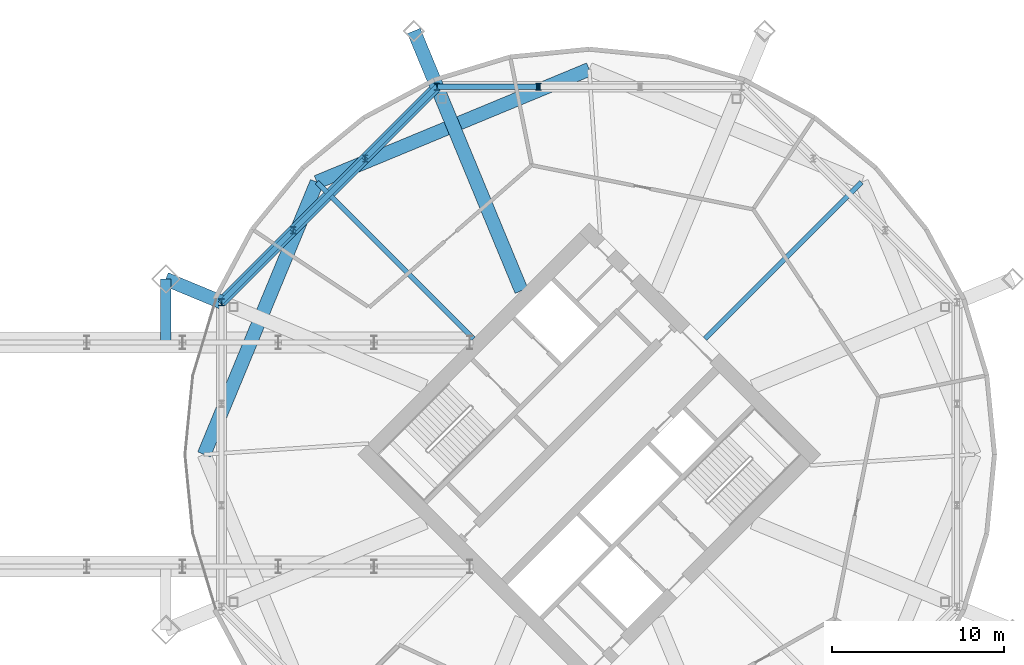
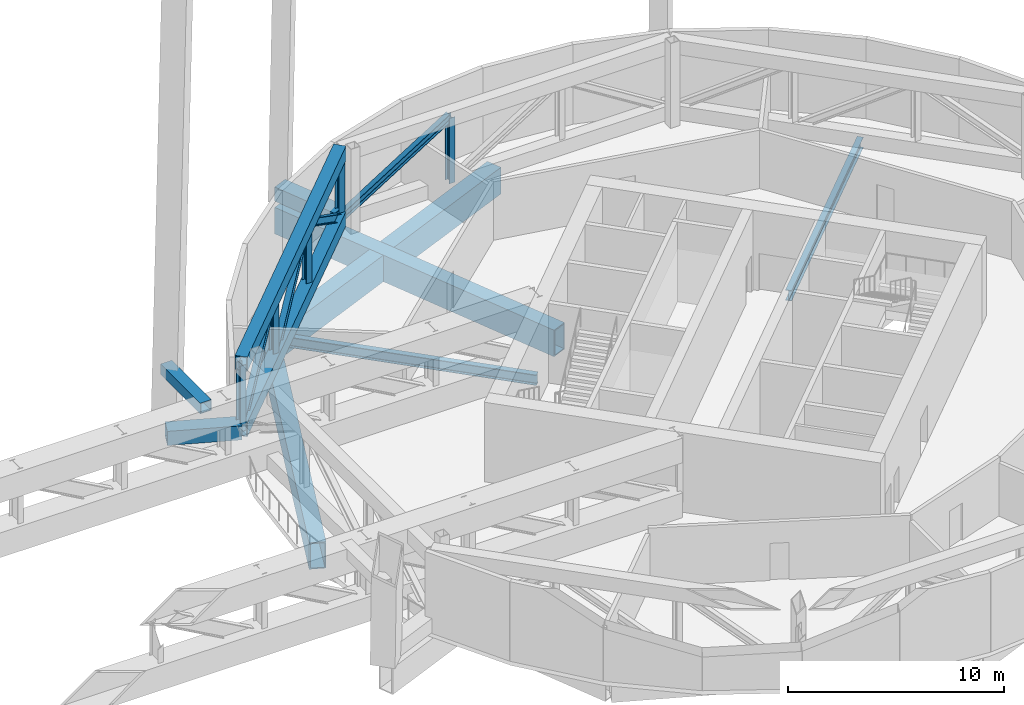
# One storey, part 10 of 19: 11 members, 8 beams.
"""IFC4 building model written with IfcOpenShell, lengths in metres."""

from ifc_helpers import new_model, si_unit, direction, frame, origin, origin_2d, place, context, subcontext, project, spatial, hollow_rectangle, i_section, extrude, material, material_profile, profile_set, type_object, element, save


model = new_model("IFC4")

# Units and contexts
model_context = context("Model", 3, precision=1e-05, world=origin(), true_north=direction((0.0, 1.0)))
body_context = subcontext(model_context, "Body", "Model", "MODEL_VIEW")
ifc_project = project(units=[si_unit("LENGTHUNIT", "METRE"), si_unit("AREAUNIT", "SQUARE_METRE"), si_unit("VOLUMEUNIT", "CUBIC_METRE"), si_unit("PLANEANGLEUNIT", "RADIAN"), si_unit("MASSUNIT", "GRAM", prefix="KILO")], contexts=[model_context])

# Site, building, storey
site_placement = place(None, origin())
site = spatial("IfcSite", under=ifc_project, at=site_placement, CompositionType="ELEMENT")
building_placement = place(site_placement, origin())
building = spatial("IfcBuilding", under=site, at=building_placement, Name="Ogive Gate Towers", CompositionType="ELEMENT")
storey_placement = place(building_placement, frame((0.0, 0.0, 130.800048828125)))
storey = spatial("IfcBuildingStorey", under=building, at=storey_placement, Name="L31", CompositionType="ELEMENT", Elevation=130.800048828125)

# Beams
ifc_material_1 = material(Name="Steel SM460", Category="steel")
ifc_material_profile_1 = material_profile(ifc_material_1, hollow_rectangle(XDim=0.800048828125, YDim=1.5, WallThickness=0.06005859375, at=origin_2d()), Name="BX 1500x800x60")
ifc_profile_set_1 = profile_set([ifc_material_profile_1], Name="Steel SM460")
beam_type_1 = type_object("IfcBeamType", Name="Edge girder BX 1500x800x60", PredefinedType="BEAM", material=ifc_profile_set_1)
for number, where, z_axis, x_axis, name in (
    (1, (36.0, 22.35009765625, -1.050048828125), (-0.923880978344, -0.382679941797, 0.0), (0.382679941797, -0.923880978344, 0.0), "T2/L31/SBM022"),
    (2, (20.196044921875, 15.803955078125, -1.050048828125), (-0.382679941797, -0.923880978344, 0.0), (0.923880978344, -0.382679941797, 0.0), "T2/L31/SBM023"),
):
    element("IfcBeam", number, at=place(storey_placement, frame(where, z_axis=z_axis, x_axis=x_axis)), inside=storey, type_object=beam_type_1, Name=name, PredefinedType="BEAM", context=body_context, shape_type="SweptSolid", body=[
        extrude(hollow_rectangle(XDim=0.800048828125, YDim=1.5, WallThickness=0.06005859375, at=origin_2d()), origin(), (0.0, 0.0, 1.0), 17.10595703125),
    ])
ifc_material_profile_2 = material_profile(ifc_material_1, hollow_rectangle(XDim=0.60009765625, YDim=0.60009765625, WallThickness=0.0400390625, at=origin_2d()), Name="BX 600x600x40")
ifc_profile_set_2 = profile_set([ifc_material_profile_2], Name="Steel SM460")
beam_type_2 = type_object("IfcBeamType", Name="Gate link BX 600x600x40", PredefinedType="BEAM", material=ifc_profile_set_2)
beam_1_placement = place(storey_placement, frame((11.4248046875, 6.5, 4.199951171875), z_axis=(0.0, 1.0, 0.0), x_axis=(-1.0, 0.0, 0.0)))
element("IfcBeam", 3, at=beam_1_placement, inside=storey, type_object=beam_type_2, Name="BR/L31/SBM003", PredefinedType="BEAM", context=body_context, shape_type="SweptSolid", body=[
    extrude(hollow_rectangle(XDim=0.60009765625, YDim=0.60009765625, WallThickness=0.0400390625, at=origin_2d()), origin(), (0.0, 0.0, 1.0), 3.679443359375),
])
ifc_material_profile_3 = material_profile(ifc_material_1, hollow_rectangle(XDim=0.800048828125, YDim=0.800048828125, WallThickness=0.050048828125, at=origin_2d()), Name="BX 800x800x50")
ifc_profile_set_3 = profile_set([ifc_material_profile_3], Name="Steel SM460")
beam_type_3 = type_object("IfcBeamType", Name="Node arm BX 800x800x50", PredefinedType="BEAM", material=ifc_profile_set_3)
for number, where, z_axis, x_axis, name in (
    (4, (27.159912109375, 21.341552734375, 0.449951171875), (-0.382668033682, 0.923885910704, 0.0), (-0.923885910704, -0.382668033682, 0.0), "T2/L31/SBM027"),
    (5, (14.658447265625, 8.840087890625, 0.449951171875), (-0.923885910704, 0.382668033682, 0.0), (-0.382668033682, -0.923885910704, 0.0), "T2/L31/SBM028"),
):
    element("IfcBeam", number, at=place(storey_placement, frame(where, z_axis=z_axis, x_axis=x_axis)), inside=storey, type_object=beam_type_3, Name=name, PredefinedType="BEAM", context=body_context, shape_type="SweptSolid", body=[
        extrude(hollow_rectangle(XDim=0.800048828125, YDim=0.800048828125, WallThickness=0.050048828125, at=origin_2d()), origin(), (0.0, 0.0, 1.0), 3.5),
    ])
ifc_material_2 = material(Name="Steel SM355", Category="steel")
ifc_material_profile_4 = material_profile(ifc_material_2, i_section(OverallWidth=0.300048828125, OverallDepth=0.590087890625, WebThickness=0.012939453125, FlangeThickness=0.02490234375, FilletRadius=0.027099609375, at=origin_2d()), Name="HE 600 A")
ifc_profile_set_4 = profile_set([ifc_material_profile_4], Name="Steel SM355")
beam_type_4 = type_object("IfcBeamType", Name="Radial floor beam HE 600 A", PredefinedType="BEAM", material=ifc_profile_set_4)
for number, where, z_axis, x_axis, name in (
    (6, (42.717529296875, 6.717529296875, -0.594970703125), (0.707106781187, 0.707106781187, 0.0), (-0.707106781187, 0.707106781187, 0.0), "T2/L31/SBM009"),
    (7, (29.282470703125, 6.717529296875, -0.594970703125), (-0.707106781187, 0.707106781187, 0.0), (-0.707106781187, -0.707106781187, 0.0), "T2/L31/SBM013"),
):
    element("IfcBeam", number, at=place(storey_placement, frame(where, z_axis=z_axis, x_axis=x_axis)), inside=storey, type_object=beam_type_4, Name=name, PredefinedType="BEAM", context=body_context, shape_type="SweptSolid", body=[
        extrude(i_section(OverallWidth=0.300048828125, OverallDepth=0.590087890625, WebThickness=0.012939453125, FlangeThickness=0.02490234375, FilletRadius=0.027099609375, at=origin_2d()), origin(), (0.0, 0.0, 1.0), 12.85009765625),
    ])
ifc_material_profile_5 = material_profile(ifc_material_1, hollow_rectangle(XDim=0.800048828125, YDim=1.5, WallThickness=0.06005859375, at=origin_2d()), Name="BX 1500x800x60")
ifc_profile_set_5 = profile_set([ifc_material_profile_5], Name="Steel SM460")
beam_type_5 = type_object("IfcBeamType", Name="Transfer radial beam BX 1500x800x60", PredefinedType="BEAM", material=ifc_profile_set_5)
beam_2_placement = place(storey_placement, frame((32.06494140625, 9.5, -1.050048828125), z_axis=(-0.382685232436, 0.923878786896, 0.0), x_axis=(-0.923878786896, -0.382685232436, 0.0)))
element("IfcBeam", 8, at=beam_2_placement, inside=storey, type_object=beam_type_5, Name="T2/L31/SBM012", PredefinedType="BEAM", context=body_context, shape_type="SweptSolid", body=[
    extrude(hollow_rectangle(XDim=0.800048828125, YDim=1.5, WallThickness=0.06005859375, at=origin_2d()), origin(), (0.0, 0.0, 1.0), 16.3173828125),
])

# Members
ifc_material_profile_6 = material_profile(ifc_material_1, hollow_rectangle(XDim=0.60009765625, YDim=0.800048828125, WallThickness=0.0400390625, at=origin_2d()), Name="BX 800x600x40")
ifc_profile_set_6 = profile_set([ifc_material_profile_6], Name="Steel SM460")
member_type_1 = type_object("IfcMemberType", Name="Truss chord BX 800x600x40", PredefinedType="CHORD", material=ifc_profile_set_6)
for number, where, z_axis, x_axis, name in (
    (9, (27.159912109375, 21.341552734375, 0.39990234375), (-0.707106781187, -0.707106781187, 0.0), (0.707106781187, -0.707106781187, 0.0), "T2/L31/STR018"),
    (10, (27.159912109375, 21.341552734375, 4.099853515625), (-0.707106781187, -0.707106781187, 0.0), (0.707106781187, -0.707106781187, 0.0), "T2/L31/STR019"),
):
    element("IfcMember", number, at=place(storey_placement, frame(where, z_axis=z_axis, x_axis=x_axis)), inside=storey, type_object=member_type_1, Name=name, PredefinedType="CHORD", context=body_context, shape_type="SweptSolid", body=[
        extrude(hollow_rectangle(XDim=0.60009765625, YDim=0.800048828125, WallThickness=0.0400390625, at=origin_2d()), origin(), (0.0, 0.0, 1.0), 17.6796875),
    ])
ifc_material_profile_7 = material_profile(ifc_material_1, i_section(OverallWidth=0.300048828125, OverallDepth=0.39990234375, WebThickness=0.013427734375, FlangeThickness=0.02392578125, FilletRadius=0.027099609375, at=origin_2d()), Name="HE 400 B")
ifc_profile_set_7 = profile_set([ifc_material_profile_7], Name="Steel SM460")
member_type_2 = type_object("IfcMemberType", Name="Truss diagonal HE 400 B", PredefinedType="BRACE", material=ifc_profile_set_7)
for number, where, z_axis, x_axis, name in (
    (11, (33.05322265625, 21.341552734375, 4.099853515625), (-0.846922323401, 0.0, -0.531716633297), (0.0, -1.0, 0.0), "T2/L31/STR014"),
    (12, (27.159912109375, 21.341552734375, 0.39990234375), (-0.598866000046, -0.598866000046, 0.531713294903), (0.707106781187, -0.707106781187, 0.0), "T2/L31/STR020"),
):
    element("IfcMember", number, at=place(storey_placement, frame(where, z_axis=z_axis, x_axis=x_axis)), inside=storey, type_object=member_type_2, Name=name, PredefinedType="BRACE", context=body_context, shape_type="SweptSolid", body=[
        extrude(i_section(OverallWidth=0.300048828125, OverallDepth=0.39990234375, WebThickness=0.013427734375, FlangeThickness=0.02392578125, FilletRadius=0.027099609375, at=origin_2d()), origin(), (0.0, 0.0, 1.0), 6.95849609375),
    ])
member_1_placement = place(storey_placement, frame((22.99267578125, 17.17431640625, 4.099853515625), z_axis=(-0.598856080222, -0.598856080222, -0.531735639545), x_axis=(0.707106781187, -0.707106781187, 0.0)))
element("IfcMember", 13, at=member_1_placement, inside=storey, type_object=member_type_2, Name="T2/L31/STR021", PredefinedType="BRACE", context=body_context, shape_type="SweptSolid", body=[
    extrude(i_section(OverallWidth=0.300048828125, OverallDepth=0.39990234375, WebThickness=0.013427734375, FlangeThickness=0.02392578125, FilletRadius=0.027099609375, at=origin_2d()), origin(), (0.0, 0.0, 1.0), 6.958251953125),
])
member_2_placement = place(storey_placement, frame((18.82568359375, 13.00732421875, 4.099853515625), z_axis=(-0.598866000046, -0.598866000046, -0.531713294903), x_axis=(0.707106781187, -0.707106781187, 0.0)))
element("IfcMember", 14, at=member_2_placement, inside=storey, type_object=member_type_2, Name="T2/L31/STR022", PredefinedType="BRACE", context=body_context, shape_type="SweptSolid", body=[
    extrude(i_section(OverallWidth=0.300048828125, OverallDepth=0.39990234375, WebThickness=0.013427734375, FlangeThickness=0.02392578125, FilletRadius=0.027099609375, at=origin_2d()), origin(), (0.0, 0.0, 1.0), 6.95849609375),
])
ifc_material_profile_8 = material_profile(ifc_material_1, i_section(OverallWidth=0.300048828125, OverallDepth=0.39990234375, WebThickness=0.013427734375, FlangeThickness=0.02392578125, FilletRadius=0.027099609375, at=origin_2d()), Name="HE 400 B")
ifc_profile_set_8 = profile_set([ifc_material_profile_8], Name="Steel SM460")
member_type_3 = type_object("IfcMemberType", Name="Truss post HE 400 B", PredefinedType="POST", material=ifc_profile_set_8)
for number, where, z_axis, x_axis, name in (
    (15, (33.05322265625, 21.341552734375, 0.39990234375), (0.0, 0.0, 1.0), (1.0, 0.0, 0.0), "T2/L31/STR016"),
    (16, (27.159912109375, 21.341552734375, 0.39990234375), (0.0, 0.0, 1.0), (1.0, 0.0, 0.0), "T2/L31/STR017"),
    (17, (22.99267578125, 17.17431640625, 0.39990234375), (0.0, 0.0, 1.0), (1.0, 0.0, 0.0), "T2/L31/STR023"),
    (18, (18.82568359375, 13.00732421875, 0.39990234375), (0.0, 0.0, 1.0), (1.0, 0.0, 0.0), "T2/L31/STR024"),
    (19, (14.658447265625, 8.840087890625, 0.39990234375), (0.0, 0.0, 1.0), (1.0, 0.0, 0.0), "T2/L31/STR025"),
):
    element("IfcMember", number, at=place(storey_placement, frame(where, z_axis=z_axis, x_axis=x_axis)), inside=storey, type_object=member_type_3, Name=name, PredefinedType="POST", context=body_context, shape_type="SweptSolid", body=[
        extrude(i_section(OverallWidth=0.300048828125, OverallDepth=0.39990234375, WebThickness=0.013427734375, FlangeThickness=0.02392578125, FilletRadius=0.027099609375, at=origin_2d()), origin(), (0.0, 0.0, 1.0), 3.699951171875),
    ])

save(model, "model.ifc")
